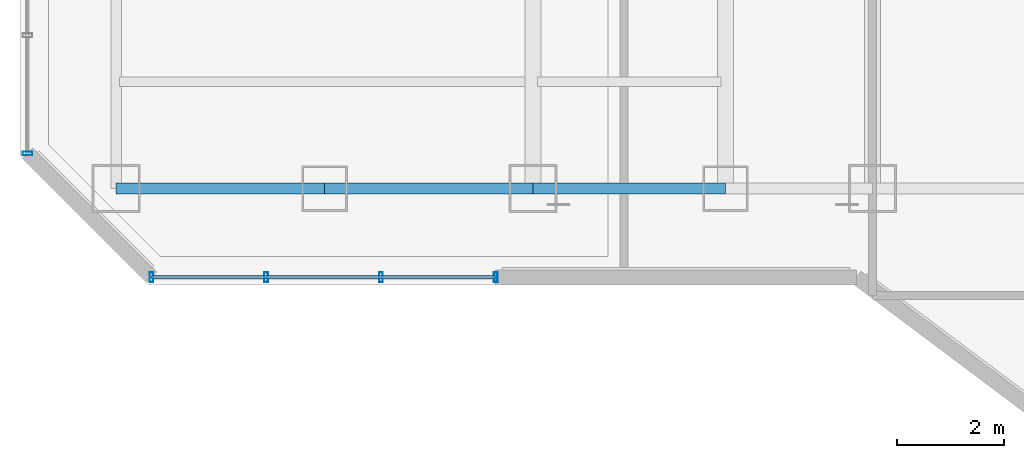
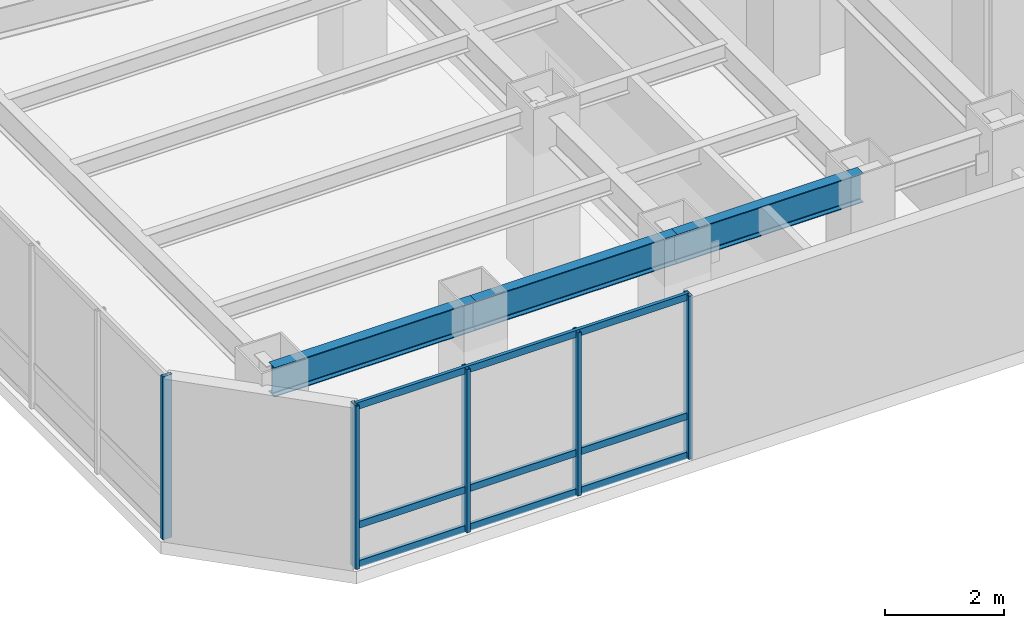
# One storey, part 2 of 29: 8 members, 3 beams, 2 elements without a shape of their own.
"""IFC4 building model written with IfcOpenShell, lengths in metres."""

from ifc_helpers import new_model, si_unit, direction, frame, origin, origin_2d, place, context, subcontext, project, spatial, hollow_rectangle, i_section, extrude, material, layer, layer_set, material_profile, profile_set, type_object, element, aggregate, save


model = new_model("IFC4")

# Units and contexts
model_context = context("Model", 3, precision=1e-05, world=origin(), true_north=direction((0.0, 1.0)))
body_context = subcontext(model_context, "Body", "Model", "MODEL_VIEW")
ifc_project = project(units=[si_unit("LENGTHUNIT", "METRE"), si_unit("AREAUNIT", "SQUARE_METRE"), si_unit("VOLUMEUNIT", "CUBIC_METRE"), si_unit("PLANEANGLEUNIT", "RADIAN"), si_unit("MASSUNIT", "GRAM", prefix="KILO")], contexts=[model_context])

# Site, building, storey
site_placement = place(None, origin())
site = spatial("IfcSite", under=ifc_project, at=site_placement, CompositionType="ELEMENT")
building_placement = place(site_placement, origin())
building = spatial("IfcBuilding", under=site, at=building_placement, Name="Hatsunagi Terrace Concourse", CompositionType="ELEMENT")
storey_placement = place(building_placement, frame((0.0, 0.0, 126.449951171875)))
storey = spatial("IfcBuildingStorey", under=building, at=storey_placement, Name="L33", CompositionType="ELEMENT", Elevation=126.449951171875)

# Curtain wall, members
ifc_material_1 = material(Name="Anodised Aluminium Alloy 6063-T5", Category="aluminium")
ifc_layer = layer(ifc_material_1, 0.199951171875)
ifc_layer_set = layer_set([ifc_layer], Name="OfficeZone1_CW03")
curtain_wall_type = type_object("IfcCurtainWallType", Name="OfficeZone1_CW03", PredefinedType="NOTDEFINED", material=ifc_layer_set)
curtain_wall_1_placement = place(storey_placement, origin())
curtain_wall_1 = element("IfcCurtainWall", 1, at=curtain_wall_1_placement, inside=storey, type_object=curtain_wall_type, Name="Unitised Curtain Wall CW-03 CW-L33-07", PredefinedType="NOTDEFINED")
ifc_material_2 = material(Name="Anodised Aluminium Alloy 6063-T5", Category="aluminium")
ifc_material_profile_1 = material_profile(ifc_material_2, hollow_rectangle(XDim=0.070068359375, YDim=0.179931640625, WallThickness=0.00390625, at=origin_2d()), Name="ALU-MUL-180x70x4")
ifc_profile_set_1 = profile_set([ifc_material_profile_1], Name="Anodised Aluminium Alloy 6063-T5")
member_type_1 = type_object("IfcMemberType", Name="CurtainWallMullion_180x70", PredefinedType="MULLION", material=ifc_profile_set_1)
member_1_placement = place(storey_placement, frame((18.5, 23.5400390625, 0.0), z_axis=(0.0, 0.0, 1.0), x_axis=(-1.0, 0.0, 0.0)))
member_1 = element("IfcMember", 2, at=member_1_placement, type_object=member_type_1, Name="Curtain Wall Mullion MUL-02", PredefinedType="MULLION", context=body_context, shape_type="SweptSolid", body=[
    extrude(hollow_rectangle(XDim=0.070068359375, YDim=0.179931640625, WallThickness=0.00390625, at=origin_2d()), origin(), (0.0, 0.0, 1.0), 3.340087890625),
])
member_2_placement = place(storey_placement, frame((16.35302734375, 23.5400390625, 0.0), z_axis=(0.0, 0.0, 1.0), x_axis=(-1.0, 0.0, 0.0)))
member_2 = element("IfcMember", 3, at=member_2_placement, type_object=member_type_1, Name="Curtain Wall Mullion MUL-02", PredefinedType="MULLION", context=body_context, shape_type="SweptSolid", body=[
    extrude(hollow_rectangle(XDim=0.070068359375, YDim=0.179931640625, WallThickness=0.00390625, at=origin_2d()), origin(), (0.0, 0.0, 1.0), 3.340087890625),
])
member_3_placement = place(storey_placement, frame((14.205078125, 23.5400390625, 0.0), z_axis=(0.0, 0.0, 1.0), x_axis=(-1.0, 0.0, 0.0)))
member_3 = element("IfcMember", 4, at=member_3_placement, type_object=member_type_1, Name="Curtain Wall Mullion MUL-02", PredefinedType="MULLION", context=body_context, shape_type="SweptSolid", body=[
    extrude(hollow_rectangle(XDim=0.070068359375, YDim=0.179931640625, WallThickness=0.00390625, at=origin_2d()), origin(), (0.0, 0.0, 1.0), 3.340087890625),
])
member_4_placement = place(storey_placement, frame((12.05810546875, 23.5400390625, 0.0), z_axis=(0.0, 0.0, 1.0), x_axis=(-1.0, 0.0, 0.0)))
member_4 = element("IfcMember", 5, at=member_4_placement, type_object=member_type_1, Name="Curtain Wall Mullion MUL-02", PredefinedType="MULLION", context=body_context, shape_type="SweptSolid", body=[
    extrude(hollow_rectangle(XDim=0.070068359375, YDim=0.179931640625, WallThickness=0.00390625, at=origin_2d()), origin(), (0.0, 0.0, 1.0), 3.340087890625),
])

# Curtain wall, member
curtain_wall_2_placement = place(storey_placement, origin())
curtain_wall_2 = element("IfcCurtainWall", 6, at=curtain_wall_2_placement, inside=storey, type_object=curtain_wall_type, Name="Unitised Curtain Wall CW-03 CW-L33-09", PredefinedType="NOTDEFINED")
member_5_placement = place(storey_placement, frame((9.739990234375, 25.85791015625, 0.0), z_axis=(0.0, 0.0, 1.0), x_axis=(0.0, 1.0, 0.0)))
member_5 = element("IfcMember", 7, at=member_5_placement, type_object=member_type_1, Name="Curtain Wall Mullion MUL-02", PredefinedType="MULLION", context=body_context, shape_type="SweptSolid", body=[
    extrude(hollow_rectangle(XDim=0.070068359375, YDim=0.179931640625, WallThickness=0.00390625, at=origin_2d()), origin(), (0.0, 0.0, 1.0), 3.340087890625),
])
aggregate(curtain_wall_2, [member_5])

# Member
ifc_material_3 = material(Name="Anodised Aluminium Alloy 6063-T5", Category="aluminium")
ifc_material_profile_2 = material_profile(ifc_material_3, hollow_rectangle(XDim=0.06494140625, YDim=0.139892578125, WallThickness=0.00390625, at=origin_2d()), Name="ALU-TRN-140x65x4")
ifc_profile_set_2 = profile_set([ifc_material_profile_2], Name="Anodised Aluminium Alloy 6063-T5")
member_type_2 = type_object("IfcMemberType", Name="CurtainWallTransom_140x65", PredefinedType="USERDEFINED", material=ifc_profile_set_2)
member_6_placement = place(storey_placement, frame((18.5, 23.5400390625, 0.050048828125), z_axis=(-1.0, 0.0, 0.0), x_axis=(0.0, -1.0, 0.0)))
member_6 = element("IfcMember", 8, at=member_6_placement, type_object=member_type_2, Name="Curtain Wall Transom TRN-02", ObjectType="TRANSOM", PredefinedType="USERDEFINED", context=body_context, shape_type="SweptSolid", body=[
    extrude(hollow_rectangle(XDim=0.06494140625, YDim=0.139892578125, WallThickness=0.00390625, at=origin_2d()), origin(), (0.0, 0.0, 1.0), 6.44189453125),
])

member_7_placement = place(storey_placement, frame((18.5, 23.5400390625, 0.85009765625), z_axis=(-1.0, 0.0, 0.0), x_axis=(0.0, -1.0, 0.0)))
member_7 = element("IfcMember", 9, at=member_7_placement, type_object=member_type_2, Name="Curtain Wall Transom TRN-02", ObjectType="TRANSOM", PredefinedType="USERDEFINED", context=body_context, shape_type="SweptSolid", body=[
    extrude(hollow_rectangle(XDim=0.06494140625, YDim=0.139892578125, WallThickness=0.00390625, at=origin_2d()), origin(), (0.0, 0.0, 1.0), 6.44189453125),
])

member_8_placement = place(storey_placement, frame((18.5, 23.5400390625, 3.2900390625), z_axis=(-1.0, 0.0, 0.0), x_axis=(0.0, -1.0, 0.0)))
member_8 = element("IfcMember", 10, at=member_8_placement, type_object=member_type_2, Name="Curtain Wall Transom TRN-02", ObjectType="TRANSOM", PredefinedType="USERDEFINED", context=body_context, shape_type="SweptSolid", body=[
    extrude(hollow_rectangle(XDim=0.06494140625, YDim=0.139892578125, WallThickness=0.00390625, at=origin_2d()), origin(), (0.0, 0.0, 1.0), 6.44189453125),
])

aggregate(curtain_wall_1, [member_1, member_2, member_3, member_4, member_6, member_7, member_8])

# Beams
ifc_material_4 = material(Name="Steel SN490B", Category="steel")
ifc_material_profile_3 = material_profile(ifc_material_4, i_section(OverallWidth=0.199951171875, OverallDepth=0.60009765625, WebThickness=0.010986328125, FlangeThickness=0.01708984375, FilletRadius=0.01806640625, at=origin_2d()), Name="H-600x200x11x17")
ifc_profile_set_3 = profile_set([ifc_material_profile_3], Name="Steel SN490B")
beam_type = type_object("IfcBeamType", Name="PerimeterSpandrel_H_600x200", PredefinedType="SPANDREL", material=ifc_profile_set_3)
beam_1_placement = place(storey_placement, frame((11.39990234375, 25.199951171875, 3.050048828125), z_axis=(1.0, 0.0, 0.0), x_axis=(0.0, 1.0, 0.0)))
element("IfcBeam", 11, at=beam_1_placement, inside=storey, type_object=beam_type, Name="Beam SP-01 BM-L33-WS-11", PredefinedType="SPANDREL", context=body_context, shape_type="SweptSolid", body=[
    extrude(i_section(OverallWidth=0.199951171875, OverallDepth=0.60009765625, WebThickness=0.010986328125, FlangeThickness=0.01708984375, FilletRadius=0.01806640625, at=origin_2d()), origin(), (0.0, 0.0, 1.0), 3.900146484375),
])
beam_2_placement = place(storey_placement, frame((15.300048828125, 25.199951171875, 3.050048828125), z_axis=(1.0, 0.0, 0.0), x_axis=(0.0, 1.0, 0.0)))
element("IfcBeam", 12, at=beam_2_placement, inside=storey, type_object=beam_type, Name="Beam SP-01 BM-L33-WS-15", PredefinedType="SPANDREL", context=body_context, shape_type="SweptSolid", body=[
    extrude(i_section(OverallWidth=0.199951171875, OverallDepth=0.60009765625, WebThickness=0.010986328125, FlangeThickness=0.01708984375, FilletRadius=0.01806640625, at=origin_2d()), origin(), (0.0, 0.0, 1.0), 3.89990234375),
])
beam_3_placement = place(storey_placement, frame((19.199951171875, 25.199951171875, 3.050048828125), z_axis=(1.0, 0.0, 0.0), x_axis=(0.0, 1.0, 0.0)))
element("IfcBeam", 13, at=beam_3_placement, inside=storey, type_object=beam_type, Name="Beam SP-01 BM-L33-WS-19", PredefinedType="SPANDREL", context=body_context, shape_type="SweptSolid", body=[
    extrude(i_section(OverallWidth=0.199951171875, OverallDepth=0.60009765625, WebThickness=0.010986328125, FlangeThickness=0.01708984375, FilletRadius=0.01806640625, at=origin_2d()), origin(), (0.0, 0.0, 1.0), 3.60009765625),
])

save(model, "model.ifc")
